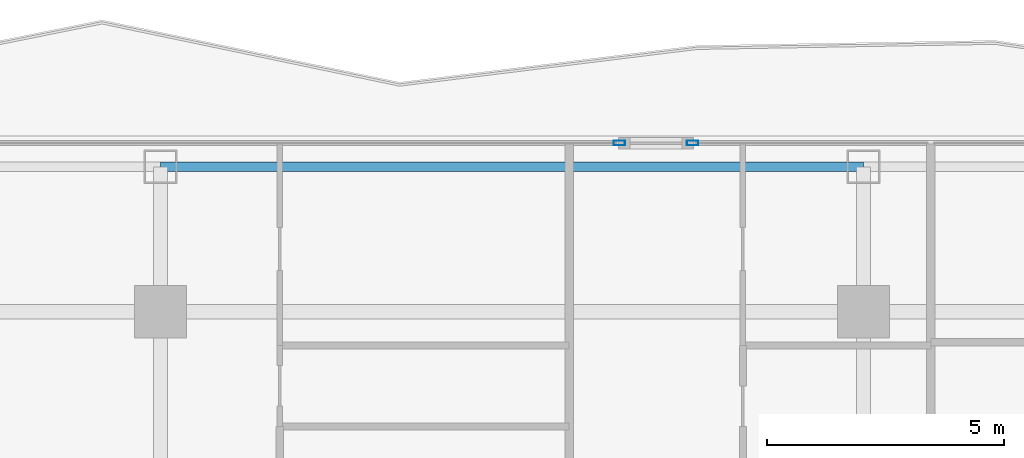
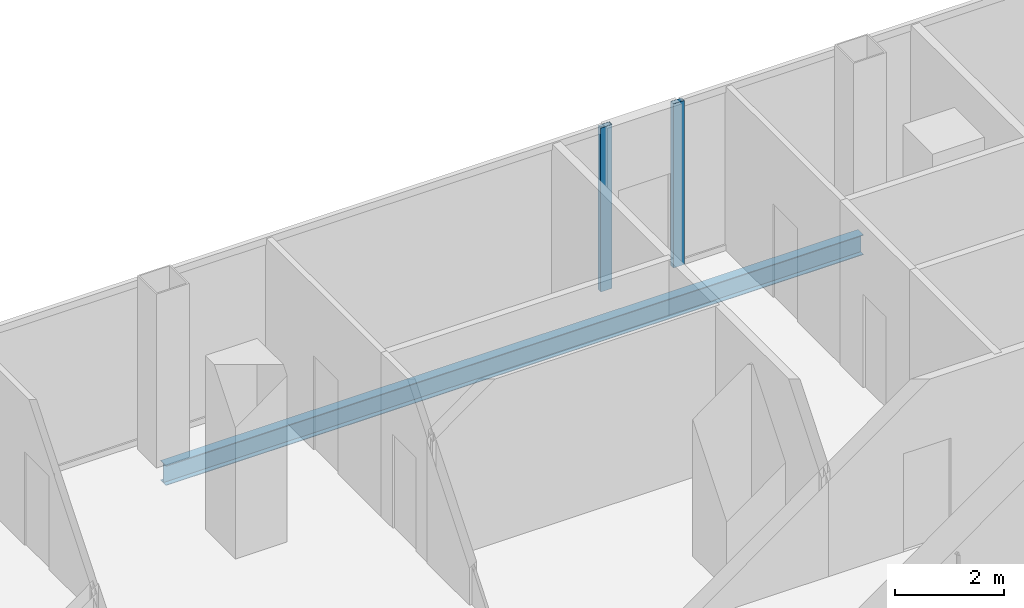
# One storey, part 15 of 29: 2 members, 1 beam, 2 elements without a shape of their own.
"""IFC4 building model written with IfcOpenShell, lengths in metres."""

from ifc_helpers import new_model, si_unit, direction, frame, origin, origin_2d, place, context, subcontext, project, spatial, hollow_rectangle, i_section, extrude, material, layer, layer_set, material_profile, profile_set, type_object, element, aggregate, save


model = new_model("IFC4")

# Units and contexts
model_context = context("Model", 3, precision=1e-05, world=origin(), true_north=direction((0.0, 1.0)))
body_context = subcontext(model_context, "Body", "Model", "MODEL_VIEW")
ifc_project = project(units=[si_unit("LENGTHUNIT", "METRE"), si_unit("AREAUNIT", "SQUARE_METRE"), si_unit("VOLUMEUNIT", "CUBIC_METRE"), si_unit("PLANEANGLEUNIT", "RADIAN"), si_unit("MASSUNIT", "GRAM", prefix="KILO")], contexts=[model_context])

# Site, building, storey
site_placement = place(None, origin())
site = spatial("IfcSite", under=ifc_project, at=site_placement, CompositionType="ELEMENT")
building_placement = place(site_placement, origin())
building = spatial("IfcBuilding", under=site, at=building_placement, Name="Khorvyn Point Tower", CompositionType="ELEMENT")
storey_placement = place(building_placement, frame((0.0, 0.0, 140.699951171875)))
storey = spatial("IfcBuildingStorey", under=building, at=storey_placement, Name="L35", CompositionType="ELEMENT", Elevation=140.699951171875)

# Curtain wall, member
ifc_material_1 = material(Name="Anodised aluminium 6063-T6 and laminated Low-E glass", Category="aluminium")
ifc_layer = layer(ifc_material_1, 0.18994140625)
ifc_layer_set = layer_set([ifc_layer], Name="Stick-Built Acoustic Curtain Wall CW-SYS-03")
curtain_wall_type = type_object("IfcCurtainWallType", Name="Stick-Built Acoustic Curtain Wall CW-SYS-03", PredefinedType="NOTDEFINED", material=ifc_layer_set)
curtain_wall_1_placement = place(storey_placement, origin())
curtain_wall_1 = element("IfcCurtainWall", 1, at=curtain_wall_1_placement, inside=storey, type_object=curtain_wall_type, Name="Curtain Wall", PredefinedType="NOTDEFINED")
ifc_material_2 = material(Name="Anodised aluminium 6063-T6", Category="aluminium")
ifc_material_profile_1 = material_profile(ifc_material_2, hollow_rectangle(XDim=0.10009765625, YDim=0.239990234375, WallThickness=0.0048828125, at=origin_2d()))
ifc_profile_set_1 = profile_set([ifc_material_profile_1], Name="Anodised aluminium 6063-T6 ALU-MUL-100x240")
member_type = type_object("IfcMemberType", Name="Anodised Aluminium 6063-T6 Mullion ALU-MUL-100x240", PredefinedType="MULLION", material=ifc_profile_set_1)
member_1_placement = place(storey_placement, frame((2.261962890625, 23.64990234375, 0.0), z_axis=(0.0, 0.0, 1.0), x_axis=(0.0, 1.0, 0.0)))
member_1 = element("IfcMember", 2, at=member_1_placement, type_object=member_type, Name="Transom", PredefinedType="MULLION", context=body_context, shape_type="SweptSolid", body=[
    extrude(hollow_rectangle(XDim=0.10009765625, YDim=0.239990234375, WallThickness=0.0048828125, at=origin_2d()), origin(), (0.0, 0.0, 1.0), 3.679931640625),
])
aggregate(curtain_wall_1, [member_1])

curtain_wall_2_placement = place(storey_placement, origin())
curtain_wall_2 = element("IfcCurtainWall", 3, at=curtain_wall_2_placement, inside=storey, type_object=curtain_wall_type, Name="Curtain Wall", PredefinedType="NOTDEFINED")
member_2_placement = place(storey_placement, frame((3.802001953125, 23.64990234375, 0.0), z_axis=(0.0, 0.0, 1.0), x_axis=(0.0, 1.0, 0.0)))
member_2 = element("IfcMember", 4, at=member_2_placement, type_object=member_type, Name="Transom", PredefinedType="MULLION", context=body_context, shape_type="SweptSolid", body=[
    extrude(hollow_rectangle(XDim=0.10009765625, YDim=0.239990234375, WallThickness=0.0048828125, at=origin_2d()), origin(), (0.0, 0.0, 1.0), 3.679931640625),
])
aggregate(curtain_wall_2, [member_2])

# Beam
ifc_material_3 = material(Name="Steel S355", Category="steel")
ifc_material_profile_2 = material_profile(ifc_material_3, i_section(OverallWidth=0.199951171875, OverallDepth=0.449951171875, WebThickness=0.009033203125, FlangeThickness=0.013916015625, at=origin_2d()))
ifc_profile_set_2 = profile_set([ifc_material_profile_2], Name="Steel S355 H450x200x9x14")
beam_type = type_object("IfcBeamType", Name="Steel S355 Spandrel H450x200x9x14", PredefinedType="SPANDREL", material=ifc_profile_set_2)
beam_placement = place(storey_placement, frame((-7.39990234375, 23.14990234375, -0.445068359375), z_axis=(1.0, 0.0, 0.0), x_axis=(0.0, 1.0, 0.0)))
element("IfcBeam", 5, at=beam_placement, inside=storey, type_object=beam_type, Name="Beam", PredefinedType="SPANDREL", context=body_context, shape_type="SweptSolid", body=[
    extrude(i_section(OverallWidth=0.199951171875, OverallDepth=0.449951171875, WebThickness=0.009033203125, FlangeThickness=0.013916015625, at=origin_2d()), origin(), (0.0, 0.0, 1.0), 14.7998046875),
])

save(model, "model.ifc")
